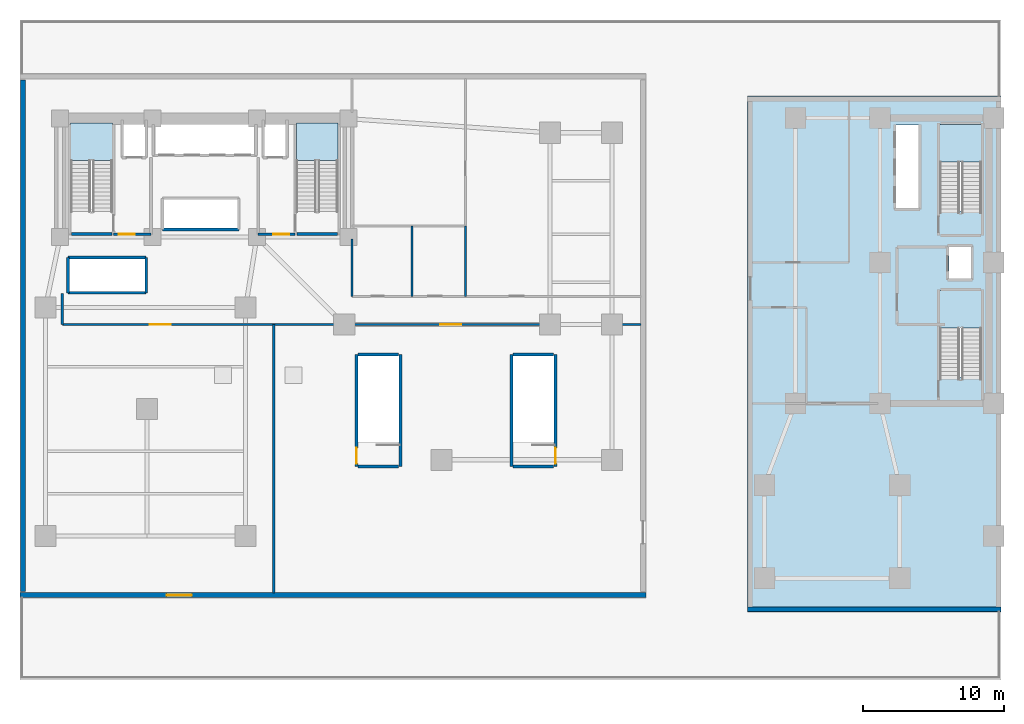
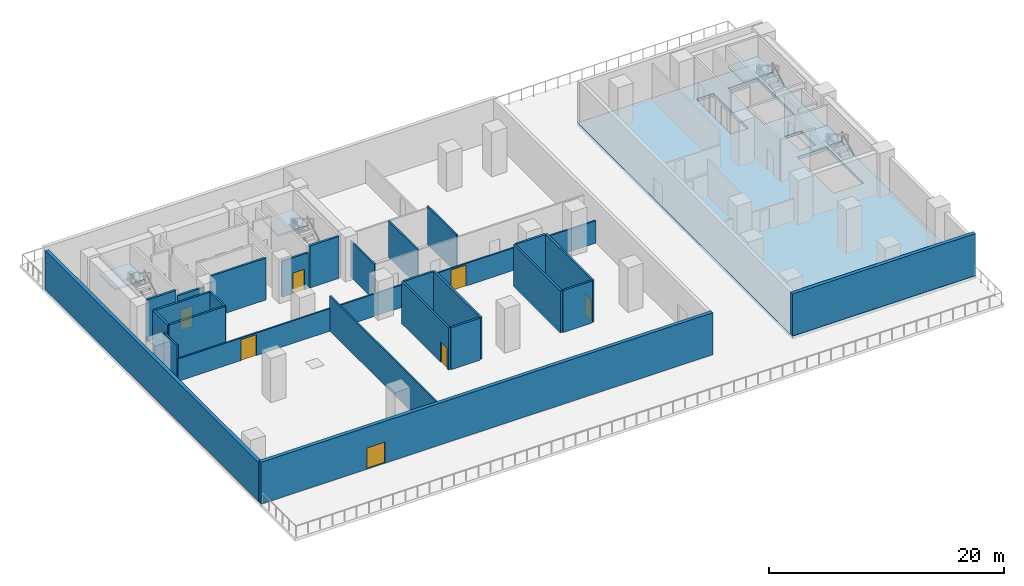
# One storey, part 2 of 9: 26 walls, 7 doors, 5 slabs, 7 openings, 4 elements without a shape of their own.
"""IFC4 building model written with IfcOpenShell, lengths in metres."""

from ifc_helpers import new_model, si_unit, direction, frame, frame_2d, origin, place, context, subcontext, project, spatial, polyline, rectangle, outline, extrude, material, layer, layer_set, type_object, element, fill, aggregate, save


model = new_model("IFC4")

# Units and contexts
model_context = context("Model", 3, precision=1e-05, world=origin(), true_north=direction((0.0, 1.0)))
body_context = subcontext(model_context, "Body", "Model", "MODEL_VIEW")
ifc_project = project(units=[si_unit("LENGTHUNIT", "METRE"), si_unit("AREAUNIT", "SQUARE_METRE"), si_unit("VOLUMEUNIT", "CUBIC_METRE"), si_unit("PLANEANGLEUNIT", "RADIAN"), si_unit("MASSUNIT", "GRAM", prefix="KILO")], contexts=[model_context])

# Site, building, storey
site_placement = place(None, origin())
site = spatial("IfcSite", under=ifc_project, at=site_placement, CompositionType="ELEMENT")
building_placement = place(site_placement, origin())
building = spatial("IfcBuilding", under=site, at=building_placement, Name="Kuzgunbayir Cultural Tower", CompositionType="ELEMENT")
storey_placement = place(building_placement, frame((0.0, 0.0, 21.800048828125)))
storey = spatial("IfcBuildingStorey", under=building, at=storey_placement, Name="L05", CompositionType="ELEMENT", Elevation=21.800048828125)

# Stair, slab
ifc_material_1 = material(Name="Concrete C40/50", Category="concrete")
stair_type = type_object("IfcStairType", Name="STR-EXIT-CORE", PredefinedType="HALF_TURN_STAIR", material=ifc_material_1)
stair_1_placement = place(storey_placement, origin())
stair_1 = element("IfcStair", 1, at=stair_1_placement, inside=storey, type_object=stair_type, Name="L05 ST-1", PredefinedType="HALF_TURN_STAIR")
ifc_layer_1 = layer(ifc_material_1, 0.179931640625)
ifc_layer_set_1 = layer_set([ifc_layer_1], Name="Concrete C40/50")
slab_type_1 = type_object("IfcSlabType", Name="SLB-LANDING-180", PredefinedType="LANDING", material=ifc_layer_set_1)
slab_1_placement = place(storey_placement, frame((0.0, 0.0, 2.099853515625)))
slab_1 = element("IfcSlab", 2, at=slab_1_placement, type_object=slab_type_1, Name="ST-1 landing 1", PredefinedType="LANDING", context=body_context, shape_type="SweptSolid", body=[
    extrude(outline(polyline([(10.159912109375, 39.239990234375), (10.159912109375, 41.89990234375), (7.199951171875, 41.89990234375), (7.199951171875, 39.239990234375), (10.159912109375, 39.239990234375)])), origin(), (0.0, 0.0, 1.0), 0.2001953125),
])
aggregate(stair_1, [slab_1])

stair_2_placement = place(storey_placement, origin())
stair_2 = element("IfcStair", 3, at=stair_2_placement, inside=storey, type_object=stair_type, Name="L05 ST-2", PredefinedType="HALF_TURN_STAIR")
slab_2_placement = place(storey_placement, frame((0.0, 0.0, 2.099853515625)))
slab_2 = element("IfcSlab", 4, at=slab_2_placement, type_object=slab_type_1, Name="ST-2 landing 1", PredefinedType="LANDING", context=body_context, shape_type="SweptSolid", body=[
    extrude(outline(polyline([(26.159912109375, 39.239990234375), (26.159912109375, 41.89990234375), (23.199951171875, 41.89990234375), (23.199951171875, 39.239990234375), (26.159912109375, 39.239990234375)])), origin(), (0.0, 0.0, 1.0), 0.2001953125),
])
aggregate(stair_2, [slab_2])

stair_3_placement = place(storey_placement, origin())
stair_3 = element("IfcStair", 5, at=stair_3_placement, inside=storey, type_object=stair_type, Name="L05 ST-3", PredefinedType="HALF_TURN_STAIR")
slab_3_placement = place(storey_placement, frame((0.0, 0.0, 2.099853515625)))
slab_3 = element("IfcSlab", 6, at=slab_3_placement, type_object=slab_type_1, Name="ST-3 landing 1", PredefinedType="LANDING", context=body_context, shape_type="SweptSolid", body=[
    extrude(outline(polyline([(71.800048828125, 27.340087890625), (71.800048828125, 30.0), (68.840087890625, 30.0), (68.840087890625, 27.340087890625), (71.800048828125, 27.340087890625)])), origin(), (0.0, 0.0, 1.0), 0.2001953125),
])
aggregate(stair_3, [slab_3])

stair_4_placement = place(storey_placement, origin())
stair_4 = element("IfcStair", 7, at=stair_4_placement, inside=storey, type_object=stair_type, Name="L05 ST-4", PredefinedType="HALF_TURN_STAIR")
slab_4_placement = place(storey_placement, frame((0.0, 0.0, 2.099853515625)))
slab_4 = element("IfcSlab", 8, at=slab_4_placement, type_object=slab_type_1, Name="ST-4 landing 1", PredefinedType="LANDING", context=body_context, shape_type="SweptSolid", body=[
    extrude(outline(polyline([(71.800048828125, 39.139892578125), (71.800048828125, 41.800048828125), (68.840087890625, 41.800048828125), (68.840087890625, 39.139892578125), (71.800048828125, 39.139892578125)])), origin(), (0.0, 0.0, 1.0), 0.2001953125),
])
aggregate(stair_4, [slab_4])

# Slab
ifc_layer_2 = layer(ifc_material_1, 0.300048828125)
ifc_layer_set_2 = layer_set([ifc_layer_2], Name="Concrete C40/50")
slab_type_2 = type_object("IfcSlabType", Name="SLB-POD-300", PredefinedType="FLOOR", material=ifc_layer_set_2)
slab_5_placement = place(storey_placement, frame((0.0, 0.0, -0.300048828125)))
element("IfcSlab", 9, at=slab_5_placement, inside=storey, type_object=slab_type_2, Name="L05 Companion Tower Base Structural Slab", PredefinedType="FLOOR", context=body_context, shape_type="SweptSolid", body=[
    extrude(outline(polyline([(55.199951171875, 7.199951171875), (73.199951171875, 7.199951171875), (73.199951171875, 43.800048828125), (55.199951171875, 43.800048828125), (55.199951171875, 7.199951171875)]), holes=[polyline([(68.840087890625, 23.860107421875), (68.840087890625, 30.0), (71.800048828125, 30.0), (71.800048828125, 23.860107421875), (68.840087890625, 23.860107421875)]), polyline([(68.840087890625, 35.659912109375), (68.840087890625, 41.800048828125), (71.800048828125, 41.800048828125), (71.800048828125, 35.659912109375), (68.840087890625, 35.659912109375)]), polyline([(65.699951171875, 35.800048828125), (65.699951171875, 41.75), (67.39990234375, 41.75), (67.39990234375, 35.800048828125), (65.699951171875, 35.800048828125)]), polyline([(69.5, 30.800048828125), (69.5, 33.199951171875), (71.10009765625, 33.199951171875), (71.10009765625, 30.800048828125), (69.5, 30.800048828125)])]), origin(), (0.0, 0.0, 1.0), 0.300048828125),
])

# Wall, opening, door
ifc_material_2 = material(Name="Anatolian Cream Limestone", Category="masonry")
ifc_layer_3 = layer(ifc_material_2, 0.35009765625)
ifc_layer_set_3 = layer_set([ifc_layer_3], Name="Anatolian Cream Limestone")
wall_type_1 = type_object("IfcWallType", Name="WAL-EXT-STONE-350", PredefinedType="STANDARD", material=ifc_layer_set_3)
wall_1_placement = place(storey_placement, frame((3.60009765625, 8.39990234375, 0.0), z_axis=(0.0, 0.0, 1.0), x_axis=(1.0, 0.0, 0.0)))
wall_1 = element("IfcWall", 10, at=wall_1_placement, inside=storey, type_object=wall_type_1, Name="L05 Botanical Pavilion South Limestone Wall", PredefinedType="STANDARD", context=body_context, shape_type="SweptSolid", body=[
    extrude(rectangle(XDim=44.39990234375, YDim=0.35009765625, at=frame_2d((22.199951171875, 0.0))), origin(), (0.0, 0.0, 1.0), 4.35986328125),
])
opening_1_placement = place(wall_1_placement, frame((10.39990234375, 0.0, 0.0)))
opening_1 = element("IfcOpeningElement", 11, at=opening_1_placement, cuts=wall_1, Name="Opening TD-18", PredefinedType="OPENING", context=body_context, shape_type="SweptSolid", body=[
    extrude(rectangle(XDim=1.800048828125, YDim=2.199951171875, at=frame_2d((0.89990234375, 1.10009765625))), frame((0.0, 0.18505859375, 0.0), z_axis=(0.0, -1.0, 0.0), x_axis=(1.0, 0.0, 0.0)), (0.0, 0.0, 1.0), 0.3701171875),
])
ifc_material_3 = material(Name="Thermally Broken Glazed Aluminium", Category="aluminium")
door_type_1 = type_object("IfcDoorType", Name="DR-TERRACE-180", OperationType="SLIDING_TO_LEFT", PredefinedType="DOOR", material=ifc_material_3)
door_1_placement = place(opening_1_placement, origin())
door_1 = element("IfcDoor", 12, at=door_1_placement, inside=storey, type_object=door_type_1, Name="L05 Botanical Salon South Garden Door", OperationType="SLIDING_TO_LEFT", OverallHeight=2.199951171875, OverallWidth=1.800048828125, PredefinedType="DOOR", context=body_context, shape_type="SweptSolid", body=[
    extrude(rectangle(XDim=1.800048828125, YDim=2.199951171875, at=frame_2d((0.89990234375, 1.10009765625))), frame((0.0, 0.02490234375, 0.0), z_axis=(0.0, -1.0, 0.0), x_axis=(1.0, 0.0, 0.0)), (0.0, 0.0, 1.0), 0.050048828125),
])
fill(opening_1, door_1)

# Walls
wall_2_placement = place(storey_placement, frame((3.800048828125, 44.949951171875, 0.0), z_axis=(0.0, 0.0, 1.0), x_axis=(0.0, -1.0, 0.0)))
element("IfcWall", 13, at=wall_2_placement, inside=storey, type_object=wall_type_1, Name="L05 Botanical Pavilion West Limestone Wall", PredefinedType="STANDARD", context=body_context, shape_type="SweptSolid", body=[
    extrude(rectangle(XDim=36.300048828125, YDim=0.35009765625, at=frame_2d((18.14990234375, 0.0))), origin(), (0.0, 0.0, 1.0), 4.06005859375),
])
wall_3_placement = place(storey_placement, frame((55.199951171875, 7.39990234375, 0.0), z_axis=(0.0, 0.0, 1.0), x_axis=(1.0, 0.0, 0.0)))
element("IfcWall", 14, at=wall_3_placement, inside=storey, type_object=wall_type_1, Name="L05 Companion Foyer South Wall", PredefinedType="STANDARD", context=body_context, shape_type="SweptSolid", body=[
    extrude(rectangle(XDim=18.0, YDim=0.35009765625, at=frame_2d((9.0, 0.0))), origin(), (0.0, 0.0, 1.0), 4.35986328125),
])

# Wall, openings, doors
ifc_material_4 = material(Name="Acoustic Double-Stud Drywall", Category="gypsum")
ifc_layer_4 = layer(ifc_material_4, 0.14990234375)
ifc_layer_set_4 = layer_set([ifc_layer_4], Name="Acoustic Double-Stud Drywall")
wall_type_2 = type_object("IfcWallType", Name="WAL-PART-ACOUSTIC-150", PredefinedType="PARTITIONING", material=ifc_layer_set_4)
wall_4_placement = place(storey_placement, frame((6.60009765625, 27.60009765625, 0.0), z_axis=(0.0, 0.0, 1.0), x_axis=(1.0, 0.0, 0.0)))
wall_4 = element("IfcWall", 15, at=wall_4_placement, inside=storey, type_object=wall_type_2, Name="L05 Botanical Promenade South Wall", PredefinedType="PARTITIONING", context=body_context, shape_type="SweptSolid", body=[
    extrude(rectangle(XDim=41.0498046875, YDim=0.14990234375, at=frame_2d((20.52490234375, 0.0))), origin(), (0.0, 0.0, 1.0), 2.33984375),
])
opening_2_placement = place(wall_4_placement, frame((6.199951171875, 0.0, 0.0)))
opening_2 = element("IfcOpeningElement", 16, at=opening_2_placement, cuts=wall_4, Name="Opening DI-150", PredefinedType="OPENING", context=body_context, shape_type="SweptSolid", body=[
    extrude(rectangle(XDim=1.5, YDim=2.179931640625, at=frame_2d((0.75, 1.08984375))), frame((0.0, 0.0849609375, 0.0), z_axis=(0.0, -1.0, 0.0), x_axis=(1.0, 0.0, 0.0)), (0.0, 0.0, 1.0), 0.169921875),
])
opening_3_placement = place(wall_4_placement, frame((26.800048828125, 0.0, 0.0)))
opening_3 = element("IfcOpeningElement", 17, at=opening_3_placement, cuts=wall_4, Name="Opening DI-150", PredefinedType="OPENING", context=body_context, shape_type="SweptSolid", body=[
    extrude(rectangle(XDim=1.5, YDim=2.179931640625, at=frame_2d((0.75, 1.08984375))), frame((0.0, 0.0849609375, 0.0), z_axis=(0.0, -1.0, 0.0), x_axis=(1.0, 0.0, 0.0)), (0.0, 0.0, 1.0), 0.169921875),
])
ifc_material_5 = material(Name="Veneered Oak Double Leaf", Category="wood")
door_type_2 = type_object("IfcDoorType", Name="DR-INT-150", OperationType="DOUBLE_DOOR_SINGLE_SWING", PredefinedType="DOOR", material=ifc_material_5)
door_2_placement = place(opening_2_placement, origin())
door_2 = element("IfcDoor", 18, at=door_2_placement, inside=storey, type_object=door_type_2, Name="L05 Tea Salon Double Door", OperationType="DOUBLE_DOOR_SINGLE_SWING", OverallHeight=2.179931640625, OverallWidth=1.5, PredefinedType="DOOR", context=body_context, shape_type="SweptSolid", body=[
    extrude(rectangle(XDim=1.5, YDim=2.179931640625, at=frame_2d((0.75, 1.08984375))), frame((0.0, 0.02490234375, 0.0), z_axis=(0.0, -1.0, 0.0), x_axis=(1.0, 0.0, 0.0)), (0.0, 0.0, 1.0), 0.050048828125),
])
fill(opening_2, door_2)
door_3_placement = place(opening_3_placement, origin())
door_3 = element("IfcDoor", 19, at=door_3_placement, inside=storey, type_object=door_type_2, Name="L05 Wintergarden Salon Door", OperationType="DOUBLE_DOOR_SINGLE_SWING", OverallHeight=2.179931640625, OverallWidth=1.5, PredefinedType="DOOR", context=body_context, shape_type="SweptSolid", body=[
    extrude(rectangle(XDim=1.5, YDim=2.179931640625, at=frame_2d((0.75, 1.08984375))), frame((0.0, 0.02490234375, 0.0), z_axis=(0.0, -1.0, 0.0), x_axis=(1.0, 0.0, 0.0)), (0.0, 0.0, 1.0), 0.050048828125),
])
fill(opening_3, door_3)

# Walls
wall_5_placement = place(storey_placement, frame((6.60009765625, 27.60009765625, 0.0), z_axis=(0.0, 0.0, 1.0), x_axis=(0.0, 1.0, 0.0)))
element("IfcWall", 20, at=wall_5_placement, inside=storey, type_object=wall_type_2, Name="L05 Tea Salon North Threshold", PredefinedType="PARTITIONING", context=body_context, shape_type="SweptSolid", body=[
    extrude(rectangle(XDim=2.199951171875, YDim=0.14990234375, at=frame_2d((1.10009765625, 0.0))), origin(), (0.0, 0.0, 1.0), 3.739990234375),
])
wall_6_placement = place(storey_placement, frame((21.60009765625, 8.550048828125, 0.0), z_axis=(0.0, 0.0, 1.0), x_axis=(0.0, 1.0, 0.0)))
element("IfcWall", 21, at=wall_6_placement, inside=storey, type_object=wall_type_2, Name="L05 Tea Pavilion Divider", PredefinedType="PARTITIONING", context=body_context, shape_type="SweptSolid", body=[
    extrude(rectangle(XDim=19.050048828125, YDim=0.14990234375, at=frame_2d((9.52490234375, 0.0))), origin(), (0.0, 0.0, 1.0), 3.619873046875),
])

# Wall, opening, door
ifc_material_6 = material(Name="Aerated Concrete Blockwork", Category="masonry")
ifc_layer_5 = layer(ifc_material_6, 0.199951171875)
ifc_layer_set_5 = layer_set([ifc_layer_5], Name="Aerated Concrete Blockwork")
wall_type_3 = type_object("IfcWallType", Name="WAL-PART-FIRE-200", PredefinedType="PARTITIONING", material=ifc_layer_set_5)
wall_7_placement = place(storey_placement, frame((10.239990234375, 34.0, 0.0), z_axis=(0.0, 0.0, 1.0), x_axis=(1.0, 0.0, 0.0)))
wall_7 = element("IfcWall", 22, at=wall_7_placement, inside=storey, type_object=wall_type_3, Name="L05 FFL-1 Lobby South Fire Wall", PredefinedType="PARTITIONING", context=body_context, shape_type="SweptSolid", body=[
    extrude(rectangle(XDim=2.659912109375, YDim=0.199951171875, at=frame_2d((1.330078125, 0.0))), origin(), (0.0, 0.0, 1.0), 3.739990234375),
])
opening_4_placement = place(wall_7_placement, frame((0.35009765625, 0.0, 0.0)))
opening_4 = element("IfcOpeningElement", 23, at=opening_4_placement, cuts=wall_7, Name="Opening DR-FFL-90", PredefinedType="OPENING", context=body_context, shape_type="SweptSolid", body=[
    extrude(rectangle(XDim=1.14990234375, YDim=2.14990234375, at=frame_2d((0.574951171875, 1.074951171875))), frame((0.0, 0.10986328125, 0.0), z_axis=(0.0, -1.0, 0.0), x_axis=(1.0, 0.0, 0.0)), (0.0, 0.0, 1.0), 0.219970703125),
])
ifc_material_7 = material(Name="Steel S355J2", Category="steel")
door_type_3 = type_object("IfcDoorType", Name="DR-FFL-90", OperationType="NOTDEFINED", PredefinedType="DOOR", material=ifc_material_7)
door_4_placement = place(opening_4_placement, origin())
door_4 = element("IfcDoor", 24, at=door_4_placement, inside=storey, type_object=door_type_3, Name="L05 Firefighting Lobby 1 Door", OperationType="SINGLE_SWING_RIGHT", OverallHeight=2.14990234375, OverallWidth=1.14990234375, PredefinedType="DOOR", context=body_context, shape_type="SweptSolid", body=[
    extrude(rectangle(XDim=1.14990234375, YDim=2.14990234375, at=frame_2d((0.574951171875, 1.074951171875))), frame((0.0, 0.02490234375, 0.0), z_axis=(0.0, -1.0, 0.0), x_axis=(1.0, 0.0, 0.0)), (0.0, 0.0, 1.0), 0.050048828125),
])
fill(opening_4, door_4)

wall_8_placement = place(storey_placement, frame((20.5, 34.0, 0.0), z_axis=(0.0, 0.0, 1.0), x_axis=(1.0, 0.0, 0.0)))
wall_8 = element("IfcWall", 25, at=wall_8_placement, inside=storey, type_object=wall_type_3, Name="L05 FFL-2 Lobby South Fire Wall", PredefinedType="PARTITIONING", context=body_context, shape_type="SweptSolid", body=[
    extrude(rectangle(XDim=2.60009765625, YDim=0.199951171875, at=frame_2d((1.300048828125, 0.0))), origin(), (0.0, 0.0, 1.0), 3.739990234375),
])
opening_5_placement = place(wall_8_placement, frame((1.050048828125, 0.0, 0.0)))
opening_5 = element("IfcOpeningElement", 26, at=opening_5_placement, cuts=wall_8, Name="Opening DR-FFL-90", PredefinedType="OPENING", context=body_context, shape_type="SweptSolid", body=[
    extrude(rectangle(XDim=1.14990234375, YDim=2.14990234375, at=frame_2d((0.574951171875, 1.074951171875))), frame((0.0, 0.10986328125, 0.0), z_axis=(0.0, -1.0, 0.0), x_axis=(1.0, 0.0, 0.0)), (0.0, 0.0, 1.0), 0.219970703125),
])
door_5_placement = place(opening_5_placement, origin())
door_5 = element("IfcDoor", 27, at=door_5_placement, inside=storey, type_object=door_type_3, Name="L05 Firefighting Lobby 2 Door", OperationType="SINGLE_SWING_LEFT", OverallHeight=2.14990234375, OverallWidth=1.14990234375, PredefinedType="DOOR", context=body_context, shape_type="SweptSolid", body=[
    extrude(rectangle(XDim=1.14990234375, YDim=2.14990234375, at=frame_2d((0.574951171875, 1.074951171875))), frame((0.0, 0.02490234375, 0.0), z_axis=(0.0, -1.0, 0.0), x_axis=(1.0, 0.0, 0.0)), (0.0, 0.0, 1.0), 0.050048828125),
])
fill(opening_5, door_5)

# Walls
ifc_material_8 = material(Name="Moisture-Resistant Tile Partition", Category="gypsum")
ifc_layer_6 = layer(ifc_material_8, 0.14990234375)
ifc_layer_set_6 = layer_set([ifc_layer_6], Name="Moisture-Resistant Tile Partition")
wall_type_4 = type_object("IfcWallType", Name="WAL-PART-WET-150", PredefinedType="PARTITIONING", material=ifc_layer_set_6)
wall_9_placement = place(storey_placement, frame((27.14990234375, 29.60009765625, 0.0), z_axis=(0.0, 0.0, 1.0), x_axis=(0.0, 1.0, 0.0)))
element("IfcWall", 28, at=wall_9_placement, inside=storey, type_object=wall_type_4, Name="L05 Core East Wall South", PredefinedType="PARTITIONING", context=body_context, shape_type="SweptSolid", body=[
    extrude(rectangle(XDim=4.0498046875, YDim=0.14990234375, at=frame_2d((2.02490234375, 0.0))), origin(), (0.0, 0.0, 1.0), 3.739990234375),
])
wall_10_placement = place(storey_placement, frame((31.39990234375, 29.60009765625, 0.0), z_axis=(0.0, 0.0, 1.0), x_axis=(0.0, 1.0, 0.0)))
element("IfcWall", 29, at=wall_10_placement, inside=storey, type_object=wall_type_4, Name="L05 Garden WC Wall", PredefinedType="PARTITIONING", context=body_context, shape_type="SweptSolid", body=[
    extrude(rectangle(XDim=5.0, YDim=0.14990234375, at=frame_2d((2.5, 0.0))), origin(), (0.0, 0.0, 1.0), 3.739990234375),
])
wall_11_placement = place(storey_placement, frame((35.199951171875, 29.60009765625, 0.0), z_axis=(0.0, 0.0, 1.0), x_axis=(0.0, 1.0, 0.0)))
element("IfcWall", 30, at=wall_11_placement, inside=storey, type_object=wall_type_4, Name="L05 Accessible WC Wall", PredefinedType="PARTITIONING", context=body_context, shape_type="SweptSolid", body=[
    extrude(rectangle(XDim=5.0, YDim=0.14990234375, at=frame_2d((2.5, 0.0))), origin(), (0.0, 0.0, 1.0), 3.949951171875),
])
ifc_layer_7 = layer(ifc_material_1, 0.199951171875)
ifc_layer_set_7 = layer_set([ifc_layer_7], Name="Concrete C40/50")
wall_type_5 = type_object("IfcWallType", Name="WAL-SHAFT-200", PredefinedType="MOVABLE", material=ifc_layer_set_7)
for number, where, z_axis, x_axis, name in (
    (31, (7.0, 29.85009765625, 0.0), (0.0, 0.0, 1.0), (1.0, 0.0, 0.0), "L05 High-Rise Lift Shaft South Wall"),
    (32, (7.0, 32.35009765625, 0.0), (0.0, 0.0, 1.0), (1.0, 0.0, 0.0), "L05 High-Rise Lift Shaft North Wall"),
):
    element("IfcWall", number, at=place(storey_placement, frame(where, z_axis=z_axis, x_axis=x_axis)), inside=storey, type_object=wall_type_5, Name=name, PredefinedType="MOVABLE", context=body_context, shape_type="SweptSolid", body=[
        extrude(rectangle(XDim=5.550048828125, YDim=0.199951171875, at=frame_2d((2.77490234375, 0.0))), origin(), (0.0, 0.0, 1.0), 4.35986328125),
    ])
for number, where, z_axis, x_axis, name in (
    (33, (7.0, 29.85009765625, 0.0), (0.0, 0.0, 1.0), (0.0, 1.0, 0.0), "L05 High-Rise Lift Shaft West Wall"),
    (34, (12.550048828125, 29.85009765625, 0.0), (0.0, 0.0, 1.0), (0.0, 1.0, 0.0), "L05 High-Rise Lift Shaft East Wall"),
):
    element("IfcWall", number, at=place(storey_placement, frame(where, z_axis=z_axis, x_axis=x_axis)), inside=storey, type_object=wall_type_5, Name=name, PredefinedType="MOVABLE", context=body_context, shape_type="SweptSolid", body=[
        extrude(rectangle(XDim=2.5, YDim=0.199951171875, at=frame_2d((1.25, 0.0))), origin(), (0.0, 0.0, 1.0), 4.35986328125),
    ])
wall_12_placement = place(storey_placement, frame((13.699951171875, 34.35009765625, 0.0), z_axis=(0.0, 0.0, 1.0), x_axis=(1.0, 0.0, 0.0)))
element("IfcWall", 35, at=wall_12_placement, inside=storey, type_object=wall_type_5, Name="L05 Mid-Rise Lift Front Wall", PredefinedType="MOVABLE", context=body_context, shape_type="SweptSolid", body=[
    extrude(rectangle(XDim=5.420166015625, YDim=0.199951171875, at=frame_2d((2.7099609375, 0.0))), origin(), (0.0, 0.0, 1.0), 4.35986328125),
])
ifc_layer_8 = layer(ifc_material_1, 0.199951171875)
ifc_layer_set_8 = layer_set([ifc_layer_8], Name="Concrete C40/50")
wall_type_6 = type_object("IfcWallType", Name="WAL-STAIR-RC-200", PredefinedType="SHEAR", material=ifc_layer_set_8)
for number, where, z_axis, x_axis, name in (
    (36, (7.239990234375, 34.02001953125, 0.0), (0.0, 0.0, 1.0), (1.0, 0.0, 0.0), "L05 Stair ST-1 South Structural Wall"),
    (37, (23.239990234375, 34.02001953125, 0.0), (0.0, 0.0, 1.0), (1.0, 0.0, 0.0), "L05 Stair ST-2 South Structural Wall"),
):
    element("IfcWall", number, at=place(storey_placement, frame(where, z_axis=z_axis, x_axis=x_axis)), inside=storey, type_object=wall_type_6, Name=name, PredefinedType="SHEAR", context=body_context, shape_type="SweptSolid", body=[
        extrude(rectangle(XDim=2.880126953125, YDim=0.199951171875, at=frame_2d((1.43994140625, 0.0))), origin(), (0.0, 0.0, 1.0), 4.35986328125),
    ])

# Wall, opening, door
wall_13_placement = place(storey_placement, frame((27.4599609375, 17.52001953125, 0.0), z_axis=(0.0, 0.0, 1.0), x_axis=(0.0, 1.0, 0.0)))
wall_13 = element("IfcWall", 38, at=wall_13_placement, inside=storey, type_object=wall_type_6, Name="L05 Stair ST-5 West Structural Wall", PredefinedType="SHEAR", context=body_context, shape_type="SweptSolid", body=[
    extrude(rectangle(XDim=7.9599609375, YDim=0.199951171875, at=frame_2d((3.97998046875, 0.0))), origin(), (0.0, 0.0, 1.0), 4.35986328125),
])
opening_6_placement = place(wall_13_placement, frame((0.219970703125, 0.0, 0.0)))
opening_6 = element("IfcOpeningElement", 39, at=opening_6_placement, cuts=wall_13, Name="Opening DR-STAIR-90", PredefinedType="OPENING", context=body_context, shape_type="SweptSolid", body=[
    extrude(rectangle(XDim=1.10009765625, YDim=2.14990234375, at=frame_2d((0.550048828125, 1.074951171875))), frame((0.0, 0.10986328125, 0.0), z_axis=(0.0, -1.0, 0.0), x_axis=(1.0, 0.0, 0.0)), (0.0, 0.0, 1.0), 0.219970703125),
])
door_type_4 = type_object("IfcDoorType", Name="DR-STAIR-90", OperationType="NOTDEFINED", PredefinedType="DOOR", material=ifc_material_7)
door_6_placement = place(opening_6_placement, origin())
door_6 = element("IfcDoor", 40, at=door_6_placement, inside=storey, type_object=door_type_4, Name="L05 Stair ST-5 Fire Door", OperationType="SINGLE_SWING_RIGHT", OverallHeight=2.14990234375, OverallWidth=1.10009765625, PredefinedType="DOOR", context=body_context, shape_type="SweptSolid", body=[
    extrude(rectangle(XDim=1.10009765625, YDim=2.14990234375, at=frame_2d((0.550048828125, 1.074951171875))), frame((0.0, 0.02490234375, 0.0), z_axis=(0.0, -1.0, 0.0), x_axis=(1.0, 0.0, 0.0)), (0.0, 0.0, 1.0), 0.050048828125),
])
fill(opening_6, door_6)

# Walls
wall_14_placement = place(storey_placement, frame((30.580078125, 17.52001953125, 0.0), z_axis=(0.0, 0.0, 1.0), x_axis=(0.0, 1.0, 0.0)))
element("IfcWall", 41, at=wall_14_placement, inside=storey, type_object=wall_type_6, Name="L05 Stair ST-5 East Structural Wall", PredefinedType="SHEAR", context=body_context, shape_type="SweptSolid", body=[
    extrude(rectangle(XDim=7.9599609375, YDim=0.199951171875, at=frame_2d((3.97998046875, 0.0))), origin(), (0.0, 0.0, 1.0), 4.35986328125),
])
for number, where, z_axis, x_axis, name in (
    (42, (27.580078125, 25.47998046875, 0.0), (0.0, 0.0, 1.0), (1.0, 0.0, 0.0), "L05 Stair ST-5 North Structural Wall"),
    (43, (27.580078125, 17.52001953125, 0.0), (0.0, 0.0, 1.0), (1.0, 0.0, 0.0), "L05 Stair ST-5 South Structural Wall"),
):
    element("IfcWall", number, at=place(storey_placement, frame(where, z_axis=z_axis, x_axis=x_axis)), inside=storey, type_object=wall_type_6, Name=name, PredefinedType="SHEAR", context=body_context, shape_type="SweptSolid", body=[
        extrude(rectangle(XDim=2.8798828125, YDim=0.199951171875, at=frame_2d((1.43994140625, 0.0))), origin(), (0.0, 0.0, 1.0), 4.35986328125),
    ])
wall_15_placement = place(storey_placement, frame((38.4599609375, 17.52001953125, 0.0), z_axis=(0.0, 0.0, 1.0), x_axis=(0.0, 1.0, 0.0)))
element("IfcWall", 44, at=wall_15_placement, inside=storey, type_object=wall_type_6, Name="L05 Stair ST-6 West Structural Wall", PredefinedType="SHEAR", context=body_context, shape_type="SweptSolid", body=[
    extrude(rectangle(XDim=7.9599609375, YDim=0.199951171875, at=frame_2d((3.97998046875, 0.0))), origin(), (0.0, 0.0, 1.0), 4.35986328125),
])

# Wall, opening, door
wall_16_placement = place(storey_placement, frame((41.580078125, 17.52001953125, 0.0), z_axis=(0.0, 0.0, 1.0), x_axis=(0.0, 1.0, 0.0)))
wall_16 = element("IfcWall", 45, at=wall_16_placement, inside=storey, type_object=wall_type_6, Name="L05 Stair ST-6 East Structural Wall", PredefinedType="SHEAR", context=body_context, shape_type="SweptSolid", body=[
    extrude(rectangle(XDim=7.9599609375, YDim=0.199951171875, at=frame_2d((3.97998046875, 0.0))), origin(), (0.0, 0.0, 1.0), 4.35986328125),
])
opening_7_placement = place(wall_16_placement, frame((0.219970703125, 0.0, 0.0)))
opening_7 = element("IfcOpeningElement", 46, at=opening_7_placement, cuts=wall_16, Name="Opening DR-STAIR-90", PredefinedType="OPENING", context=body_context, shape_type="SweptSolid", body=[
    extrude(rectangle(XDim=1.10009765625, YDim=2.14990234375, at=frame_2d((0.550048828125, 1.074951171875))), frame((0.0, 0.10986328125, 0.0), z_axis=(0.0, -1.0, 0.0), x_axis=(1.0, 0.0, 0.0)), (0.0, 0.0, 1.0), 0.219970703125),
])
door_7_placement = place(opening_7_placement, origin())
door_7 = element("IfcDoor", 47, at=door_7_placement, inside=storey, type_object=door_type_4, Name="L05 Stair ST-6 Fire Door", OperationType="SINGLE_SWING_RIGHT", OverallHeight=2.14990234375, OverallWidth=1.10009765625, PredefinedType="DOOR", context=body_context, shape_type="SweptSolid", body=[
    extrude(rectangle(XDim=1.10009765625, YDim=2.14990234375, at=frame_2d((0.550048828125, 1.074951171875))), frame((0.0, 0.02490234375, 0.0), z_axis=(0.0, -1.0, 0.0), x_axis=(1.0, 0.0, 0.0)), (0.0, 0.0, 1.0), 0.050048828125),
])
fill(opening_7, door_7)

# Walls
for number, where, z_axis, x_axis, name in (
    (48, (38.580078125, 25.47998046875, 0.0), (0.0, 0.0, 1.0), (1.0, 0.0, 0.0), "L05 Stair ST-6 North Structural Wall"),
    (49, (38.580078125, 17.52001953125, 0.0), (0.0, 0.0, 1.0), (1.0, 0.0, 0.0), "L05 Stair ST-6 South Structural Wall"),
):
    element("IfcWall", number, at=place(storey_placement, frame(where, z_axis=z_axis, x_axis=x_axis)), inside=storey, type_object=wall_type_6, Name=name, PredefinedType="SHEAR", context=body_context, shape_type="SweptSolid", body=[
        extrude(rectangle(XDim=2.8798828125, YDim=0.199951171875, at=frame_2d((1.43994140625, 0.0))), origin(), (0.0, 0.0, 1.0), 4.35986328125),
    ])

save(model, "model.ifc")
